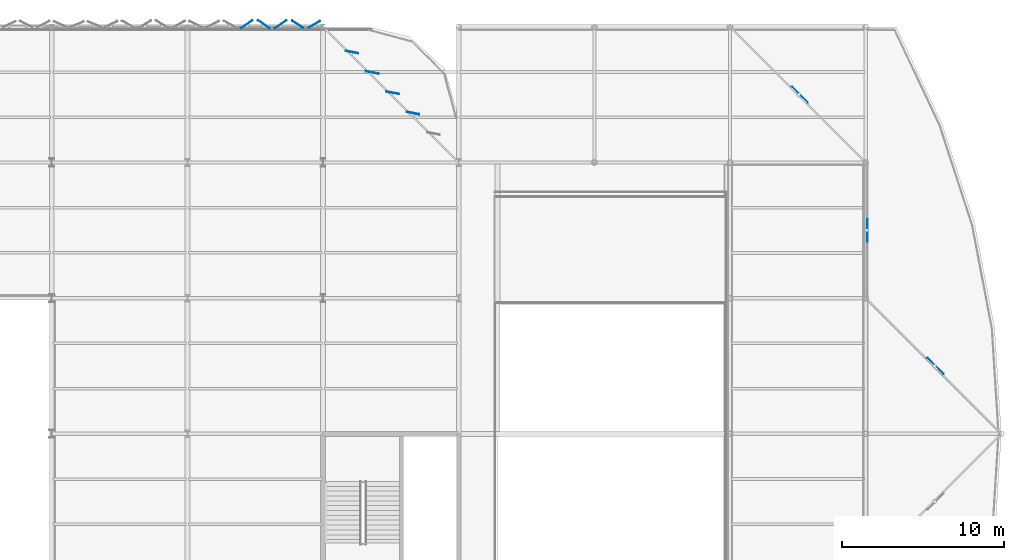
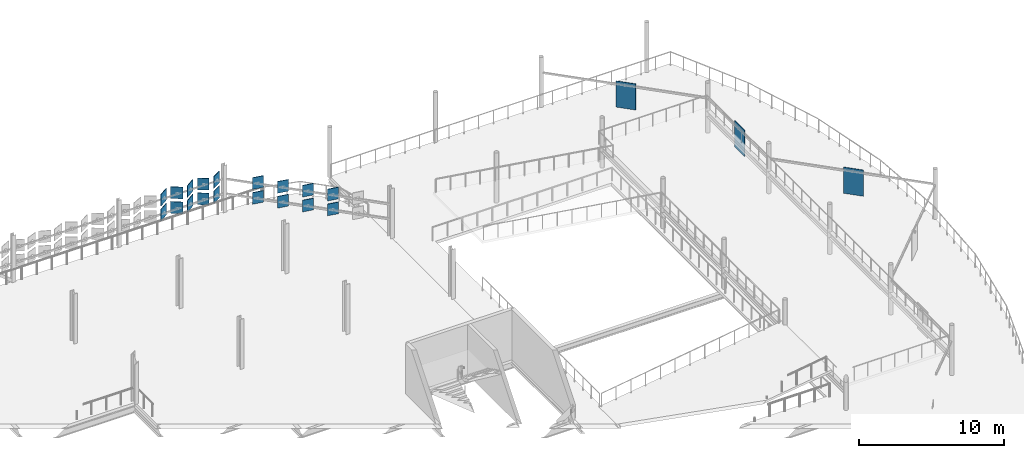
# One storey, part 45 of 69: 21 plates.
"""IFC4 building model written with IfcOpenShell, lengths in metres."""

from ifc_helpers import new_model, si_unit, direction, frame, origin, origin_2d, place, context, subcontext, project, spatial, rectangle, extrude, material, layer, layer_set, type_object, element, save


model = new_model("IFC4")

# Units and contexts
model_context = context("Model", 3, precision=1e-05, world=origin(), true_north=direction((0.0, 1.0)))
body_context = subcontext(model_context, "Body", "Model", "MODEL_VIEW")
ifc_project = project(units=[si_unit("LENGTHUNIT", "METRE"), si_unit("AREAUNIT", "SQUARE_METRE"), si_unit("VOLUMEUNIT", "CUBIC_METRE"), si_unit("PLANEANGLEUNIT", "RADIAN"), si_unit("MASSUNIT", "GRAM", prefix="KILO")], contexts=[model_context])

# Site, building, storey
site_placement = place(None, origin())
site = spatial("IfcSite", under=ifc_project, at=site_placement, CompositionType="ELEMENT")
building_placement = place(site_placement, origin())
building = spatial("IfcBuilding", under=site, at=building_placement, Name="Qalvenar Corner Mobility Hub", CompositionType="ELEMENT")
storey_placement = place(building_placement, frame((0.0, 0.0, 13.199951171875)))
storey = spatial("IfcBuildingStorey", under=building, at=storey_placement, Name="L03", CompositionType="ELEMENT", Elevation=13.199951171875)

# Plates
ifc_material_1 = material(Name="Perforated Bronze-Anodised Aluminium", Category="aluminium")
ifc_layer_1 = layer(ifc_material_1, 0.030029296875)
ifc_layer_set_1 = layer_set([ifc_layer_1], Name="Perforated Bronze-Anodised Aluminium")
plate_type_1 = type_object("IfcPlateType", Name="PLT-SCR-ROT", PredefinedType="SHEET", material=ifc_layer_set_1)
for number, where, z_axis, x_axis, name in (
    (1, (172.320068359375, 96.60009765625, 0.85009765625), (0.0, 0.0, 1.0), (-0.707106781187, 0.707106781187, 0.0), "Rotunda Sun Screen SC1-L03-4"),
    (2, (168.1201171875, 105.0, 0.85009765625), (0.0, 0.0, 1.0), (0.0, 1.0, 0.0), "Rotunda Sun Screen SC1-L03-5"),
    (3, (163.919921875, 113.39990234375, 0.85009765625), (0.0, 0.0, 1.0), (-0.707106781187, 0.707106781187, 0.0), "Rotunda Sun Screen SC1-L03-6"),
):
    element("IfcPlate", number, at=place(storey_placement, frame(where, z_axis=z_axis, x_axis=x_axis)), inside=storey, type_object=plate_type_1, Name=name, PredefinedType="SHEET", context=body_context, shape_type="SweptSolid", body=[
        extrude(rectangle(XDim=1.39990234375, YDim=0.030029296875, at=origin_2d()), origin(), (0.0, 0.0, 1.0), 2.199951171875),
    ])
ifc_material_2 = material(Name="Verdigris-Celadon Anodised Aluminium", Category="aluminium")
ifc_layer_2 = layer(ifc_material_2, 0.0439453125)
ifc_layer_set_2 = layer_set([ifc_layer_2], Name="Verdigris-Celadon Anodised Aluminium")
plate_type_2 = type_object("IfcPlateType", Name="PLT-XC-L3-CRN", PredefinedType="SHEET", material=ifc_layer_set_2)
for number, where, z_axis, x_axis, name in (
    (4, (133.875, 117.760009765625, 1.010009765625), (0.0, 0.0, 1.0), (-0.861894788785, -0.507087145436, 0.0), "Hinged Facade Panel FP-L03-0849"),
    (5, (133.875, 117.760009765625, 2.260009765625), (0.0, 0.0, 1.0), (-0.861894788785, -0.507087145436, 0.0), "Hinged Facade Panel FP-L03-0850"),
    (6, (132.824951171875, 117.760009765625, 1.010009765625), (0.0, 0.0, 1.0), (-0.841981910079, 0.539505758171, 0.0), "Hinged Facade Panel FP-L03-0851"),
    (7, (132.824951171875, 117.760009765625, 2.260009765625), (0.0, 0.0, 1.0), (-0.841981910079, 0.539505758171, 0.0), "Hinged Facade Panel FP-L03-0852"),
    (8, (139.97314453125, 112.253173828125, 1.010009765625), (0.0, 0.0, 1.0), (-0.981627183448, 0.190808995377, 0.0), "Corner Hinged Panel FPC-L03-1062"),
    (9, (138.713134765625, 113.51318359375, 1.010009765625), (0.0, 0.0, 1.0), (-0.981627183448, 0.190808995377, 0.0), "Corner Hinged Panel FPC-L03-1063"),
    (10, (137.453125, 114.773193359375, 1.010009765625), (0.0, 0.0, 1.0), (-0.981627183448, 0.190808995377, 0.0), "Corner Hinged Panel FPC-L03-1064"),
    (11, (136.193115234375, 116.033203125, 1.010009765625), (0.0, 0.0, 1.0), (-0.981627183448, 0.190808995377, 0.0), "Corner Hinged Panel FPC-L03-1065"),
    (12, (139.97314453125, 112.253173828125, 2.260009765625), (0.0, 0.0, 1.0), (-0.981627183448, 0.190808995377, 0.0), "Corner Hinged Panel FPC-L03-1067"),
    (13, (138.713134765625, 113.51318359375, 2.260009765625), (0.0, 0.0, 1.0), (-0.981627183448, 0.190808995377, 0.0), "Corner Hinged Panel FPC-L03-1068"),
    (14, (137.453125, 114.773193359375, 2.260009765625), (0.0, 0.0, 1.0), (-0.981627183448, 0.190808995377, 0.0), "Corner Hinged Panel FPC-L03-1069"),
    (15, (136.193115234375, 116.033203125, 2.260009765625), (0.0, 0.0, 1.0), (-0.981627183448, 0.190808995377, 0.0), "Corner Hinged Panel FPC-L03-1070"),
):
    element("IfcPlate", number, at=place(storey_placement, frame(where, z_axis=z_axis, x_axis=x_axis)), inside=storey, type_object=plate_type_2, Name=name, PredefinedType="SHEET", context=body_context, shape_type="SweptSolid", body=[
        extrude(rectangle(XDim=0.800048828125, YDim=0.0439453125, at=origin_2d()), origin(), (0.0, 0.0, 1.0), 0.97998046875),
    ])
ifc_layer_3 = layer(ifc_material_2, 0.0419921875)
ifc_layer_set_3 = layer_set([ifc_layer_3], Name="Verdigris-Celadon Anodised Aluminium")
plate_type_3 = type_object("IfcPlateType", Name="PLT-XC-L3-STD", PredefinedType="SHEET", material=ifc_layer_set_3)
for number, where, z_axis, x_axis, name in (
    (16, (131.77490234375, 117.760009765625, 1.010009765625), (0.0, 0.0, 1.0), (-0.819152044289, -0.573576436351, 0.0), "Hinged Facade Panel FP-L03-0853"),
    (17, (131.77490234375, 117.760009765625, 2.260009765625), (0.0, 0.0, 1.0), (-0.819152044289, -0.573576436351, 0.0), "Hinged Facade Panel FP-L03-0854"),
    (18, (130.72509765625, 117.760009765625, 1.010009765625), (0.0, 0.0, 1.0), (-0.819152044289, 0.573576436351, 0.0), "Hinged Facade Panel FP-L03-0855"),
    (19, (130.72509765625, 117.760009765625, 2.260009765625), (0.0, 0.0, 1.0), (-0.819152044289, 0.573576436351, 0.0), "Hinged Facade Panel FP-L03-0856"),
    (20, (129.675048828125, 117.760009765625, 1.010009765625), (0.0, 0.0, 1.0), (-0.830595899196, -0.556875616488, 0.0), "Hinged Facade Panel FP-L03-0857"),
    (21, (129.675048828125, 117.760009765625, 2.260009765625), (0.0, 0.0, 1.0), (-0.830595899196, -0.556875616488, 0.0), "Hinged Facade Panel FP-L03-0858"),
):
    element("IfcPlate", number, at=place(storey_placement, frame(where, z_axis=z_axis, x_axis=x_axis)), inside=storey, type_object=plate_type_3, Name=name, PredefinedType="SHEET", context=body_context, shape_type="SweptSolid", body=[
        extrude(rectangle(XDim=0.860107421875, YDim=0.0419921875, at=origin_2d()), origin(), (0.0, 0.0, 1.0), 0.97998046875),
    ])

save(model, "model.ifc")
